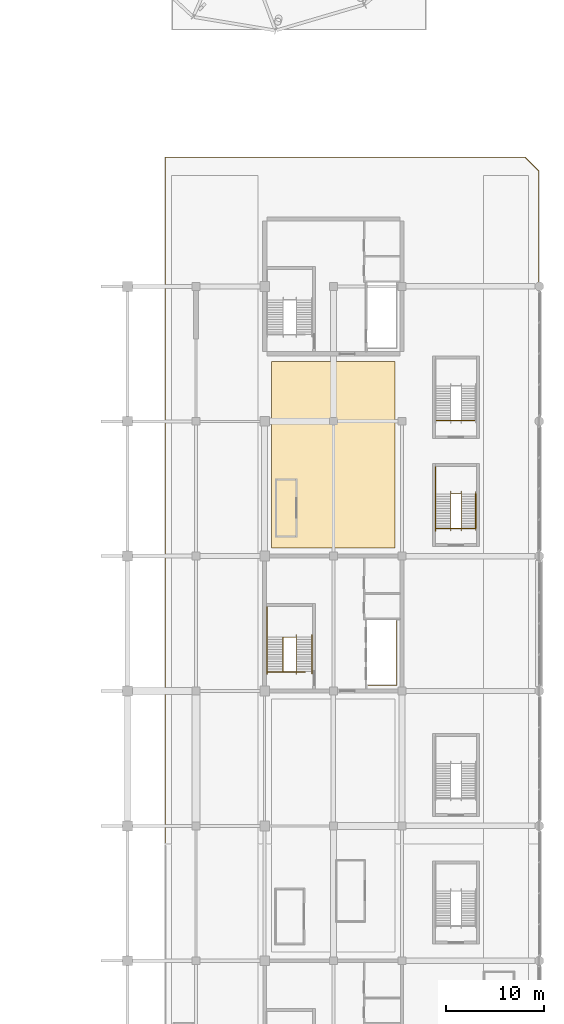
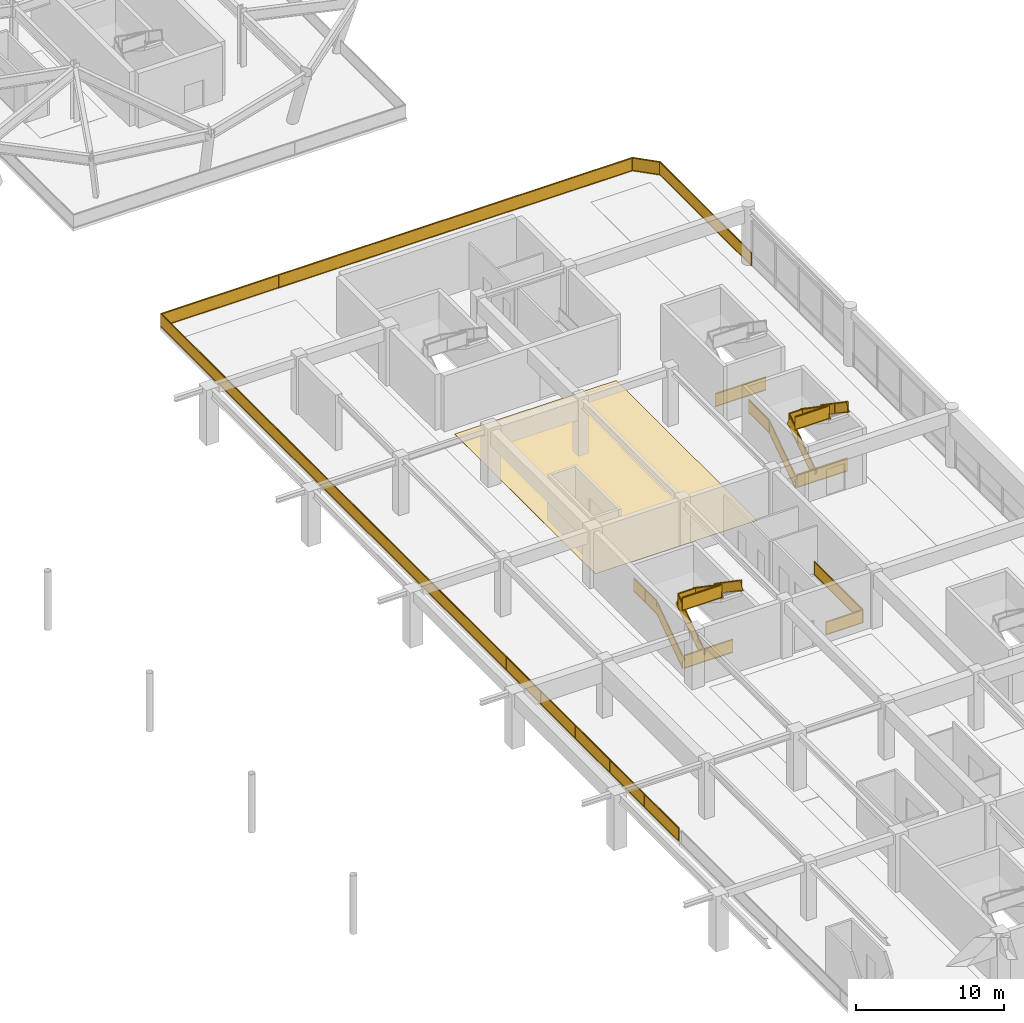
# One storey, part 85 of 91: 11 railings, 1 covering.
"""IFC4 building model written with IfcOpenShell, lengths in metres."""

from ifc_helpers import new_model, si_unit, direction, frame, origin, origin_2d, place, context, subcontext, project, spatial, polyline, rectangle, outline, extrude, material, layer, layer_set, type_object, element, save


model = new_model("IFC4")

# Units and contexts
model_context = context("Model", 3, precision=1e-05, world=origin(), true_north=direction((0.0, 1.0)))
body_context = subcontext(model_context, "Body", "Model", "MODEL_VIEW")
ifc_project = project(units=[si_unit("LENGTHUNIT", "METRE"), si_unit("AREAUNIT", "SQUARE_METRE"), si_unit("VOLUMEUNIT", "CUBIC_METRE"), si_unit("PLANEANGLEUNIT", "RADIAN"), si_unit("MASSUNIT", "GRAM", prefix="KILO")], contexts=[model_context])

# Site, building, storey
site_placement = place(None, origin())
site = spatial("IfcSite", under=ifc_project, at=site_placement, CompositionType="ELEMENT")
building_placement = place(site_placement, origin())
building = spatial("IfcBuilding", under=site, at=building_placement, Name="Linyun Crest Stadium", CompositionType="ELEMENT")
storey_placement = place(building_placement, frame((0.0, 0.0, 11.39990234375)))
storey = spatial("IfcBuildingStorey", under=building, at=storey_placement, Name="L03", CompositionType="ELEMENT", Elevation=11.39990234375)

# Covering
ifc_material_1 = material(Name="Polymeric cushioned multi-sport athletic flooring")
ifc_layer = layer(ifc_material_1, 0.01806640625)
ifc_layer_set = layer_set([ifc_layer], Name="Polymeric cushioned multi-sport athletic flooring")
covering_type = type_object("IfcCoveringType", Name="FLR01", PredefinedType="FLOORING", material=ifc_layer_set)
covering_placement = place(storey_placement, origin())
element("IfcCovering", 1, at=covering_placement, inside=storey, type_object=covering_type, Name="Athletic flooring FLR01 34", PredefinedType="FLOORING", context=body_context, shape_type="SweptSolid", body=[
    extrude(outline(polyline([(70.699951171875, 16.699951171875), (83.300048828125, 16.699951171875), (83.300048828125, 35.699951171875), (70.699951171875, 35.699951171875), (70.699951171875, 16.699951171875)])), origin(), (0.0, 0.0, 1.0), 0.01806640625),
])

# Railings
ifc_material_2 = material(Name="Galvanized and powder-coated steel bowl safety barrier", Category="steel")
railing_type_1 = type_object("IfcRailingType", Name="GR02", PredefinedType="GUARDRAIL", material=ifc_material_2)
railing_1_placement = place(storey_placement, frame((59.860107421875, -13.330078125, 0.0)))
element("IfcRailing", 2, at=railing_1_placement, inside=storey, type_object=railing_type_1, Name="Slab edge balustrade GR02 143", PredefinedType="GUARDRAIL", context=body_context, shape_type="SweptSolid", body=[
    extrude(rectangle(XDim=0.06005859375, YDim=0.06005859375, at=origin_2d()), frame((0.0, 0.0, 1.090087890625), z_axis=(0.0, 1.0, 0.0), x_axis=(-1.0, 0.0, 0.0)), (0.0, 0.0, 1.0), 69.85498046875),
    extrude(rectangle(XDim=0.030029296875, YDim=1.0, at=origin_2d()), frame((0.0, 0.0, 0.56005859375), z_axis=(0.0, 1.0, 0.0), x_axis=(-1.0, 0.0, 0.0)), (0.0, 0.0, 1.0), 69.85498046875),
    extrude(rectangle(XDim=0.06005859375, YDim=0.06005859375, at=origin_2d()), frame((0.0, 0.0, 0.030029296875), z_axis=(0.0, 1.0, 0.0), x_axis=(-1.0, 0.0, 0.0)), (0.0, 0.0, 1.0), 69.85498046875),
    extrude(rectangle(XDim=0.06005859375, YDim=0.06005859375, at=origin_2d()), frame((0.0, 69.85498046875, 1.090087890625), z_axis=(1.0, 0.0, 0.0), x_axis=(0.0, 1.0, 0.0)), (0.0, 0.0, 1.0), 36.71484375),
    extrude(rectangle(XDim=0.030029296875, YDim=1.0, at=origin_2d()), frame((0.0, 69.85498046875, 0.56005859375), z_axis=(1.0, 0.0, 0.0), x_axis=(0.0, 1.0, 0.0)), (0.0, 0.0, 1.0), 36.71484375),
    extrude(rectangle(XDim=0.06005859375, YDim=0.06005859375, at=origin_2d()), frame((0.0, 69.85498046875, 0.030029296875), z_axis=(1.0, 0.0, 0.0), x_axis=(0.0, 1.0, 0.0)), (0.0, 0.0, 1.0), 36.71484375),
    extrude(rectangle(XDim=0.06005859375, YDim=0.06005859375, at=origin_2d()), frame((36.71484375, 69.85498046875, 1.090087890625), z_axis=(0.707106781187, -0.707106781187, 0.0), x_axis=(0.707106781187, 0.707106781187, 0.0)), (0.0, 0.0, 1.0), 1.930419921875),
    extrude(rectangle(XDim=0.030029296875, YDim=1.0, at=origin_2d()), frame((36.71484375, 69.85498046875, 0.56005859375), z_axis=(0.707106781187, -0.707106781187, 0.0), x_axis=(0.707106781187, 0.707106781187, 0.0)), (0.0, 0.0, 1.0), 1.930419921875),
    extrude(rectangle(XDim=0.06005859375, YDim=0.06005859375, at=origin_2d()), frame((36.71484375, 69.85498046875, 0.030029296875), z_axis=(0.707106781187, -0.707106781187, 0.0), x_axis=(0.707106781187, 0.707106781187, 0.0)), (0.0, 0.0, 1.0), 1.930419921875),
    extrude(rectangle(XDim=0.06005859375, YDim=0.06005859375, at=origin_2d()), frame((38.079833984375, 68.489990234375, 1.090087890625), z_axis=(0.0, -1.0, 0.0), x_axis=(1.0, 0.0, 0.0)), (0.0, 0.0, 1.0), 12.3349609375),
    extrude(rectangle(XDim=0.030029296875, YDim=1.0, at=origin_2d()), frame((38.079833984375, 68.489990234375, 0.56005859375), z_axis=(0.0, -1.0, 0.0), x_axis=(1.0, 0.0, 0.0)), (0.0, 0.0, 1.0), 12.3349609375),
    extrude(rectangle(XDim=0.06005859375, YDim=0.06005859375, at=origin_2d()), frame((38.079833984375, 68.489990234375, 0.030029296875), z_axis=(0.0, -1.0, 0.0), x_axis=(1.0, 0.0, 0.0)), (0.0, 0.0, 1.0), 12.3349609375),
    extrude(rectangle(XDim=0.050048828125, YDim=0.050048828125, at=origin_2d()), origin(), (0.0, 0.0, 1.0), 1.1201171875),
    extrude(rectangle(XDim=0.050048828125, YDim=0.050048828125, at=origin_2d()), frame((0.0, 4.656982421875, 0.0)), (0.0, 0.0, 1.0), 1.1201171875),
    extrude(rectangle(XDim=0.050048828125, YDim=0.050048828125, at=origin_2d()), frame((0.0, 9.31396484375, 0.0)), (0.0, 0.0, 1.0), 1.1201171875),
    extrude(rectangle(XDim=0.050048828125, YDim=0.050048828125, at=origin_2d()), frame((0.0, 13.970947265625, 0.0)), (0.0, 0.0, 1.0), 1.1201171875),
    extrude(rectangle(XDim=0.050048828125, YDim=0.050048828125, at=origin_2d()), frame((0.0, 18.6279296875, 0.0)), (0.0, 0.0, 1.0), 1.1201171875),
    extrude(rectangle(XDim=0.050048828125, YDim=0.050048828125, at=origin_2d()), frame((0.0, 23.284912109375, 0.0)), (0.0, 0.0, 1.0), 1.1201171875),
    extrude(rectangle(XDim=0.050048828125, YDim=0.050048828125, at=origin_2d()), frame((0.0, 27.94189453125, 0.0)), (0.0, 0.0, 1.0), 1.1201171875),
    extrude(rectangle(XDim=0.050048828125, YDim=0.050048828125, at=origin_2d()), frame((0.0, 32.598876953125, 0.0)), (0.0, 0.0, 1.0), 1.1201171875),
    extrude(rectangle(XDim=0.050048828125, YDim=0.050048828125, at=origin_2d()), frame((0.0, 37.256103515625, 0.0)), (0.0, 0.0, 1.0), 1.1201171875),
    extrude(rectangle(XDim=0.050048828125, YDim=0.050048828125, at=origin_2d()), frame((0.0, 41.9130859375, 0.0)), (0.0, 0.0, 1.0), 1.1201171875),
    extrude(rectangle(XDim=0.050048828125, YDim=0.050048828125, at=origin_2d()), frame((0.0, 46.570068359375, 0.0)), (0.0, 0.0, 1.0), 1.1201171875),
    extrude(rectangle(XDim=0.050048828125, YDim=0.050048828125, at=origin_2d()), frame((0.0, 51.22705078125, 0.0)), (0.0, 0.0, 1.0), 1.1201171875),
    extrude(rectangle(XDim=0.050048828125, YDim=0.050048828125, at=origin_2d()), frame((0.0, 55.884033203125, 0.0)), (0.0, 0.0, 1.0), 1.1201171875),
    extrude(rectangle(XDim=0.050048828125, YDim=0.050048828125, at=origin_2d()), frame((0.0, 60.541015625, 0.0)), (0.0, 0.0, 1.0), 1.1201171875),
    extrude(rectangle(XDim=0.050048828125, YDim=0.050048828125, at=origin_2d()), frame((0.0, 65.197998046875, 0.0)), (0.0, 0.0, 1.0), 1.1201171875),
    extrude(rectangle(XDim=0.050048828125, YDim=0.050048828125, at=origin_2d()), frame((0.0, 69.85498046875, 0.0)), (0.0, 0.0, 1.0), 1.1201171875),
    extrude(rectangle(XDim=0.050048828125, YDim=0.050048828125, at=origin_2d()), frame((4.58935546875, 69.85498046875, 0.0)), (0.0, 0.0, 1.0), 1.1201171875),
    extrude(rectangle(XDim=0.050048828125, YDim=0.050048828125, at=origin_2d()), frame((9.1787109375, 69.85498046875, 0.0)), (0.0, 0.0, 1.0), 1.1201171875),
    extrude(rectangle(XDim=0.050048828125, YDim=0.050048828125, at=origin_2d()), frame((13.76806640625, 69.85498046875, 0.0)), (0.0, 0.0, 1.0), 1.1201171875),
    extrude(rectangle(XDim=0.050048828125, YDim=0.050048828125, at=origin_2d()), frame((18.357421875, 69.85498046875, 0.0)), (0.0, 0.0, 1.0), 1.1201171875),
    extrude(rectangle(XDim=0.050048828125, YDim=0.050048828125, at=origin_2d()), frame((22.94677734375, 69.85498046875, 0.0)), (0.0, 0.0, 1.0), 1.1201171875),
    extrude(rectangle(XDim=0.050048828125, YDim=0.050048828125, at=origin_2d()), frame((27.5361328125, 69.85498046875, 0.0)), (0.0, 0.0, 1.0), 1.1201171875),
    extrude(rectangle(XDim=0.050048828125, YDim=0.050048828125, at=origin_2d()), frame((32.12548828125, 69.85498046875, 0.0)), (0.0, 0.0, 1.0), 1.1201171875),
    extrude(rectangle(XDim=0.050048828125, YDim=0.050048828125, at=origin_2d()), frame((36.71484375, 69.85498046875, 0.0)), (0.0, 0.0, 1.0), 1.1201171875),
    extrude(rectangle(XDim=0.050048828125, YDim=0.050048828125, at=origin_2d()), frame((38.079833984375, 68.489990234375, 0.0)), (0.0, 0.0, 1.0), 1.1201171875),
    extrude(rectangle(XDim=0.050048828125, YDim=0.050048828125, at=origin_2d()), frame((38.079833984375, 64.37841796875, 0.0)), (0.0, 0.0, 1.0), 1.1201171875),
    extrude(rectangle(XDim=0.050048828125, YDim=0.050048828125, at=origin_2d()), frame((38.079833984375, 60.2666015625, 0.0)), (0.0, 0.0, 1.0), 1.1201171875),
    extrude(rectangle(XDim=0.050048828125, YDim=0.050048828125, at=origin_2d()), frame((38.079833984375, 56.155029296875, 0.0)), (0.0, 0.0, 1.0), 1.1201171875),
])
for number, where, name in (
    (3, (87.5400390625, 18.68994140625, 0.0), "Slab edge balustrade GR02 149"),
    (4, (87.5400390625, 29.68994140625, 0.0), "Slab edge balustrade GR02 150"),
):
    element("IfcRailing", number, at=place(storey_placement, frame(where)), inside=storey, type_object=railing_type_1, Name=name, PredefinedType="GUARDRAIL", context=body_context, shape_type="SweptSolid", body=[
        extrude(rectangle(XDim=0.06005859375, YDim=0.06005859375, at=origin_2d()), frame((0.0, 0.0, 1.090087890625), z_axis=(1.0, 0.0, 0.0), x_axis=(0.0, 1.0, 0.0)), (0.0, 0.0, 1.0), 3.919921875),
        extrude(rectangle(XDim=0.030029296875, YDim=1.0, at=origin_2d()), frame((0.0, 0.0, 0.56005859375), z_axis=(1.0, 0.0, 0.0), x_axis=(0.0, 1.0, 0.0)), (0.0, 0.0, 1.0), 3.919921875),
        extrude(rectangle(XDim=0.06005859375, YDim=0.06005859375, at=origin_2d()), frame((0.0, 0.0, 0.030029296875), z_axis=(1.0, 0.0, 0.0), x_axis=(0.0, 1.0, 0.0)), (0.0, 0.0, 1.0), 3.919921875),
        extrude(rectangle(XDim=0.050048828125, YDim=0.050048828125, at=origin_2d()), origin(), (0.0, 0.0, 1.0), 1.1201171875),
        extrude(rectangle(XDim=0.050048828125, YDim=0.050048828125, at=origin_2d()), frame((3.919921875, 0.0, 0.0)), (0.0, 0.0, 1.0), 1.1201171875),
    ])
railing_2_placement = place(storey_placement, frame((80.580078125, 2.715087890625, 0.0)))
element("IfcRailing", 5, at=railing_2_placement, inside=storey, type_object=railing_type_1, Name="Slab edge balustrade GR02 151", PredefinedType="GUARDRAIL", context=body_context, shape_type="SweptSolid", body=[
    extrude(rectangle(XDim=0.06005859375, YDim=0.06005859375, at=origin_2d()), frame((0.0, 0.0, 1.090087890625), z_axis=(1.0, 0.0, 0.0), x_axis=(0.0, 1.0, 0.0)), (0.0, 0.0, 1.0), 2.8798828125),
    extrude(rectangle(XDim=0.030029296875, YDim=1.0, at=origin_2d()), frame((0.0, 0.0, 0.56005859375), z_axis=(1.0, 0.0, 0.0), x_axis=(0.0, 1.0, 0.0)), (0.0, 0.0, 1.0), 2.8798828125),
    extrude(rectangle(XDim=0.06005859375, YDim=0.06005859375, at=origin_2d()), frame((0.0, 0.0, 0.030029296875), z_axis=(1.0, 0.0, 0.0), x_axis=(0.0, 1.0, 0.0)), (0.0, 0.0, 1.0), 2.8798828125),
    extrude(rectangle(XDim=0.06005859375, YDim=0.06005859375, at=origin_2d()), frame((2.8798828125, 0.0, 1.090087890625), z_axis=(0.0, 1.0, 0.0), x_axis=(-1.0, 0.0, 0.0)), (0.0, 0.0, 1.0), 6.5498046875),
    extrude(rectangle(XDim=0.030029296875, YDim=1.0, at=origin_2d()), frame((2.8798828125, 0.0, 0.56005859375), z_axis=(0.0, 1.0, 0.0), x_axis=(-1.0, 0.0, 0.0)), (0.0, 0.0, 1.0), 6.5498046875),
    extrude(rectangle(XDim=0.06005859375, YDim=0.06005859375, at=origin_2d()), frame((2.8798828125, 0.0, 0.030029296875), z_axis=(0.0, 1.0, 0.0), x_axis=(-1.0, 0.0, 0.0)), (0.0, 0.0, 1.0), 6.5498046875),
    extrude(rectangle(XDim=0.050048828125, YDim=0.050048828125, at=origin_2d()), origin(), (0.0, 0.0, 1.0), 1.1201171875),
    extrude(rectangle(XDim=0.050048828125, YDim=0.050048828125, at=origin_2d()), frame((2.8798828125, 0.0, 0.0)), (0.0, 0.0, 1.0), 1.1201171875),
    extrude(rectangle(XDim=0.050048828125, YDim=0.050048828125, at=origin_2d()), frame((2.8798828125, 3.27490234375, 0.0)), (0.0, 0.0, 1.0), 1.1201171875),
    extrude(rectangle(XDim=0.050048828125, YDim=0.050048828125, at=origin_2d()), frame((2.8798828125, 6.5498046875, 0.0)), (0.0, 0.0, 1.0), 1.1201171875),
])
railing_3_placement = place(storey_placement, frame((70.340087890625, 4.0849609375, 0.0)))
element("IfcRailing", 6, at=railing_3_placement, inside=storey, type_object=railing_type_1, Name="Slab edge balustrade GR02 153", PredefinedType="GUARDRAIL", context=body_context, shape_type="SweptSolid", body=[
    extrude(rectangle(XDim=0.06005859375, YDim=0.06005859375, at=origin_2d()), frame((0.0, 0.0, 1.090087890625), z_axis=(1.0, 0.0, 0.0), x_axis=(0.0, 1.0, 0.0)), (0.0, 0.0, 1.0), 3.760009765625),
    extrude(rectangle(XDim=0.030029296875, YDim=1.0, at=origin_2d()), frame((0.0, 0.0, 0.56005859375), z_axis=(1.0, 0.0, 0.0), x_axis=(0.0, 1.0, 0.0)), (0.0, 0.0, 1.0), 3.760009765625),
    extrude(rectangle(XDim=0.06005859375, YDim=0.06005859375, at=origin_2d()), frame((0.0, 0.0, 0.030029296875), z_axis=(1.0, 0.0, 0.0), x_axis=(0.0, 1.0, 0.0)), (0.0, 0.0, 1.0), 3.760009765625),
    extrude(rectangle(XDim=0.050048828125, YDim=0.050048828125, at=origin_2d()), origin(), (0.0, 0.0, 1.0), 1.1201171875),
    extrude(rectangle(XDim=0.050048828125, YDim=0.050048828125, at=origin_2d()), frame((3.760009765625, 0.0, 0.0)), (0.0, 0.0, 1.0), 1.1201171875),
])
ifc_material_3 = material(Name="Painted steel stairwell safety guard", Category="steel")
railing_type_2 = type_object("IfcRailingType", Name="GR03", PredefinedType="GUARDRAIL", material=ifc_material_3)
railing_4_placement = place(storey_placement, frame((70.22998046875, 4.114990234375, 0.0)))
element("IfcRailing", 7, at=railing_4_placement, inside=storey, type_object=railing_type_2, Name="STR-05-L03 outer guard", PredefinedType="GUARDRAIL", context=body_context, shape_type="SweptSolid", body=[
    extrude(rectangle(XDim=0.06005859375, YDim=0.06005859375, at=origin_2d()), frame((0.0, 0.0, 1.090087890625), z_axis=(0.0, 0.824712752785, 0.565551832633), x_axis=(-1.0, 0.0, 0.0)), (0.0, 0.0, 1.0), 4.243896484375),
    extrude(rectangle(XDim=0.030029296875, YDim=1.0, at=origin_2d()), frame((0.0, 0.0, 0.56005859375), z_axis=(0.0, 0.824712752785, 0.565551832633), x_axis=(-1.0, 0.0, 0.0)), (0.0, 0.0, 1.0), 4.243896484375),
    extrude(rectangle(XDim=0.06005859375, YDim=0.06005859375, at=origin_2d()), frame((0.0, 0.0, 0.030029296875), z_axis=(0.0, 0.824712752785, 0.565551832633), x_axis=(-1.0, 0.0, 0.0)), (0.0, 0.0, 1.0), 4.243896484375),
    extrude(rectangle(XDim=0.06005859375, YDim=0.06005859375, at=origin_2d()), frame((0.0, 3.5, 3.490234375), z_axis=(0.0, 1.0, 0.0), x_axis=(-1.0, 0.0, 0.0)), (0.0, 0.0, 1.0), 3.080078125),
    extrude(rectangle(XDim=0.030029296875, YDim=1.0, at=origin_2d()), frame((0.0, 3.5, 2.960205078125), z_axis=(0.0, 1.0, 0.0), x_axis=(-1.0, 0.0, 0.0)), (0.0, 0.0, 1.0), 3.080078125),
    extrude(rectangle(XDim=0.06005859375, YDim=0.06005859375, at=origin_2d()), frame((0.0, 3.5, 2.43017578125), z_axis=(0.0, 1.0, 0.0), x_axis=(-1.0, 0.0, 0.0)), (0.0, 0.0, 1.0), 3.080078125),
    extrude(rectangle(XDim=0.050048828125, YDim=0.050048828125, at=origin_2d()), origin(), (0.0, 0.0, 1.0), 1.1201171875),
    extrude(rectangle(XDim=0.050048828125, YDim=0.050048828125, at=origin_2d()), frame((0.0, 1.166748046875, 0.800048828125)), (0.0, 0.0, 1.0), 1.1201171875),
    extrude(rectangle(XDim=0.050048828125, YDim=0.050048828125, at=origin_2d()), frame((0.0, 2.333251953125, 1.60009765625)), (0.0, 0.0, 1.0), 1.1201171875),
    extrude(rectangle(XDim=0.050048828125, YDim=0.050048828125, at=origin_2d()), frame((0.0, 3.5, 2.400146484375)), (0.0, 0.0, 1.0), 1.1201171875),
    extrude(rectangle(XDim=0.050048828125, YDim=0.050048828125, at=origin_2d()), frame((0.0, 5.0400390625, 2.400146484375)), (0.0, 0.0, 1.0), 1.1201171875),
    extrude(rectangle(XDim=0.050048828125, YDim=0.050048828125, at=origin_2d()), frame((0.0, 6.580078125, 2.400146484375)), (0.0, 0.0, 1.0), 1.1201171875),
])
railing_5_placement = place(storey_placement, frame((71.8701171875, 4.094970703125, 0.0)))
element("IfcRailing", 8, at=railing_5_placement, inside=storey, type_object=railing_type_2, Name="STR-05-L03 inner well guard", PredefinedType="GUARDRAIL", context=body_context, shape_type="SweptSolid", body=[
    extrude(rectangle(XDim=0.06005859375, YDim=0.06005859375, at=origin_2d()), frame((0.0, 0.0, 1.090087890625), z_axis=(0.0, 0.826212794201, 0.563358162005), x_axis=(-1.0, 0.0, 0.0)), (0.0, 0.0, 1.0), 4.260498046875),
    extrude(rectangle(XDim=0.030029296875, YDim=1.0, at=origin_2d()), frame((0.0, 0.0, 0.56005859375), z_axis=(0.0, 0.826212794201, 0.563358162005), x_axis=(-1.0, 0.0, 0.0)), (0.0, 0.0, 1.0), 4.260498046875),
    extrude(rectangle(XDim=0.06005859375, YDim=0.06005859375, at=origin_2d()), frame((0.0, 0.0, 0.030029296875), z_axis=(0.0, 0.826212794201, 0.563358162005), x_axis=(-1.0, 0.0, 0.0)), (0.0, 0.0, 1.0), 4.260498046875),
    extrude(rectangle(XDim=0.06005859375, YDim=0.06005859375, at=origin_2d()), frame((0.0, 3.52001953125, 3.490234375), z_axis=(1.0, 0.0, 0.0), x_axis=(0.0, 1.0, 0.0)), (0.0, 0.0, 1.0), 1.35986328125),
    extrude(rectangle(XDim=0.030029296875, YDim=1.0, at=origin_2d()), frame((0.0, 3.52001953125, 2.960205078125), z_axis=(1.0, 0.0, 0.0), x_axis=(0.0, 1.0, 0.0)), (0.0, 0.0, 1.0), 1.35986328125),
    extrude(rectangle(XDim=0.06005859375, YDim=0.06005859375, at=origin_2d()), frame((0.0, 3.52001953125, 2.43017578125), z_axis=(1.0, 0.0, 0.0), x_axis=(0.0, 1.0, 0.0)), (0.0, 0.0, 1.0), 1.35986328125),
    extrude(rectangle(XDim=0.06005859375, YDim=0.06005859375, at=origin_2d()), frame((1.35986328125, 3.52001953125, 3.490234375), z_axis=(0.0, -0.826239466617, 0.563319042644), x_axis=(1.0, 0.0, 0.0)), (0.0, 0.0, 1.0), 4.26025390625),
    extrude(rectangle(XDim=0.030029296875, YDim=1.0, at=origin_2d()), frame((1.35986328125, 3.52001953125, 2.960205078125), z_axis=(0.0, -0.826239466617, 0.563319042644), x_axis=(1.0, 0.0, 0.0)), (0.0, 0.0, 1.0), 4.26025390625),
    extrude(rectangle(XDim=0.06005859375, YDim=0.06005859375, at=origin_2d()), frame((1.35986328125, 3.52001953125, 2.43017578125), z_axis=(0.0, -0.826239466617, 0.563319042644), x_axis=(1.0, 0.0, 0.0)), (0.0, 0.0, 1.0), 4.26025390625),
    extrude(rectangle(XDim=0.06005859375, YDim=0.06005859375, at=origin_2d()), frame((1.35986328125, 0.0, 5.89013671875), z_axis=(-1.0, 0.0, 0.0), x_axis=(0.0, -1.0, 0.0)), (0.0, 0.0, 1.0), 3.010009765625),
    extrude(rectangle(XDim=0.030029296875, YDim=1.0, at=origin_2d()), frame((1.35986328125, 0.0, 5.360107421875), z_axis=(-1.0, 0.0, 0.0), x_axis=(0.0, -1.0, 0.0)), (0.0, 0.0, 1.0), 3.010009765625),
    extrude(rectangle(XDim=0.06005859375, YDim=0.06005859375, at=origin_2d()), frame((1.35986328125, 0.0, 4.830078125), z_axis=(-1.0, 0.0, 0.0), x_axis=(0.0, -1.0, 0.0)), (0.0, 0.0, 1.0), 3.010009765625),
    extrude(rectangle(XDim=0.050048828125, YDim=0.050048828125, at=origin_2d()), origin(), (0.0, 0.0, 1.0), 1.1201171875),
    extrude(rectangle(XDim=0.050048828125, YDim=0.050048828125, at=origin_2d()), frame((0.0, 1.17333984375, 0.800048828125)), (0.0, 0.0, 1.0), 1.1201171875),
    extrude(rectangle(XDim=0.050048828125, YDim=0.050048828125, at=origin_2d()), frame((0.0, 2.3466796875, 1.60009765625)), (0.0, 0.0, 1.0), 1.1201171875),
    extrude(rectangle(XDim=0.050048828125, YDim=0.050048828125, at=origin_2d()), frame((0.0, 3.52001953125, 2.400146484375)), (0.0, 0.0, 1.0), 1.1201171875),
    extrude(rectangle(XDim=0.050048828125, YDim=0.050048828125, at=origin_2d()), frame((1.35986328125, 3.52001953125, 2.400146484375)), (0.0, 0.0, 1.0), 1.1201171875),
    extrude(rectangle(XDim=0.050048828125, YDim=0.050048828125, at=origin_2d()), frame((1.35986328125, 2.3466796875, 3.2001953125)), (0.0, 0.0, 1.0), 1.1201171875),
    extrude(rectangle(XDim=0.050048828125, YDim=0.050048828125, at=origin_2d()), frame((1.35986328125, 1.17333984375, 4.0)), (0.0, 0.0, 1.0), 1.1201171875),
    extrude(rectangle(XDim=0.050048828125, YDim=0.050048828125, at=origin_2d()), frame((1.35986328125, 0.0, 4.800048828125)), (0.0, 0.0, 1.0), 1.1201171875),
    extrude(rectangle(XDim=0.050048828125, YDim=0.050048828125, at=origin_2d()), frame((-0.14501953125, 0.0, 4.800048828125)), (0.0, 0.0, 1.0), 1.1201171875),
    extrude(rectangle(XDim=0.050048828125, YDim=0.050048828125, at=origin_2d()), frame((-1.650146484375, 0.0, 4.800048828125)), (0.0, 0.0, 1.0), 1.1201171875),
])
railing_6_placement = place(storey_placement, frame((87.429931640625, 18.719970703125, 0.0)))
element("IfcRailing", 9, at=railing_6_placement, inside=storey, type_object=railing_type_2, Name="STR-21-L03 outer guard", PredefinedType="GUARDRAIL", context=body_context, shape_type="SweptSolid", body=[
    extrude(rectangle(XDim=0.06005859375, YDim=0.06005859375, at=origin_2d()), frame((0.0, 0.0, 1.090087890625), z_axis=(0.0, 0.824712752785, 0.565551832633), x_axis=(-1.0, 0.0, 0.0)), (0.0, 0.0, 1.0), 4.243896484375),
    extrude(rectangle(XDim=0.030029296875, YDim=1.0, at=origin_2d()), frame((0.0, 0.0, 0.56005859375), z_axis=(0.0, 0.824712752785, 0.565551832633), x_axis=(-1.0, 0.0, 0.0)), (0.0, 0.0, 1.0), 4.243896484375),
    extrude(rectangle(XDim=0.06005859375, YDim=0.06005859375, at=origin_2d()), frame((0.0, 0.0, 0.030029296875), z_axis=(0.0, 0.824712752785, 0.565551832633), x_axis=(-1.0, 0.0, 0.0)), (0.0, 0.0, 1.0), 4.243896484375),
    extrude(rectangle(XDim=0.06005859375, YDim=0.06005859375, at=origin_2d()), frame((0.0, 3.5, 3.490234375), z_axis=(0.0, 1.0, 0.0), x_axis=(-1.0, 0.0, 0.0)), (0.0, 0.0, 1.0), 2.75),
    extrude(rectangle(XDim=0.030029296875, YDim=1.0, at=origin_2d()), frame((0.0, 3.5, 2.960205078125), z_axis=(0.0, 1.0, 0.0), x_axis=(-1.0, 0.0, 0.0)), (0.0, 0.0, 1.0), 2.75),
    extrude(rectangle(XDim=0.06005859375, YDim=0.06005859375, at=origin_2d()), frame((0.0, 3.5, 2.43017578125), z_axis=(0.0, 1.0, 0.0), x_axis=(-1.0, 0.0, 0.0)), (0.0, 0.0, 1.0), 2.75),
    extrude(rectangle(XDim=0.050048828125, YDim=0.050048828125, at=origin_2d()), origin(), (0.0, 0.0, 1.0), 1.1201171875),
    extrude(rectangle(XDim=0.050048828125, YDim=0.050048828125, at=origin_2d()), frame((0.0, 1.166748046875, 0.800048828125)), (0.0, 0.0, 1.0), 1.1201171875),
    extrude(rectangle(XDim=0.050048828125, YDim=0.050048828125, at=origin_2d()), frame((0.0, 2.333251953125, 1.60009765625)), (0.0, 0.0, 1.0), 1.1201171875),
    extrude(rectangle(XDim=0.050048828125, YDim=0.050048828125, at=origin_2d()), frame((0.0, 3.5, 2.400146484375)), (0.0, 0.0, 1.0), 1.1201171875),
    extrude(rectangle(XDim=0.050048828125, YDim=0.050048828125, at=origin_2d()), frame((0.0, 4.875, 2.400146484375)), (0.0, 0.0, 1.0), 1.1201171875),
    extrude(rectangle(XDim=0.050048828125, YDim=0.050048828125, at=origin_2d()), frame((0.0, 6.25, 2.400146484375)), (0.0, 0.0, 1.0), 1.1201171875),
])
railing_7_placement = place(storey_placement, frame((88.969970703125, 18.699951171875, 0.0)))
element("IfcRailing", 10, at=railing_7_placement, inside=storey, type_object=railing_type_2, Name="STR-21-L03 inner well guard", PredefinedType="GUARDRAIL", context=body_context, shape_type="SweptSolid", body=[
    extrude(rectangle(XDim=0.06005859375, YDim=0.06005859375, at=origin_2d()), frame((0.0, 0.0, 1.090087890625), z_axis=(0.0, 0.826212794201, 0.563358162005), x_axis=(-1.0, 0.0, 0.0)), (0.0, 0.0, 1.0), 4.260498046875),
    extrude(rectangle(XDim=0.030029296875, YDim=1.0, at=origin_2d()), frame((0.0, 0.0, 0.56005859375), z_axis=(0.0, 0.826212794201, 0.563358162005), x_axis=(-1.0, 0.0, 0.0)), (0.0, 0.0, 1.0), 4.260498046875),
    extrude(rectangle(XDim=0.06005859375, YDim=0.06005859375, at=origin_2d()), frame((0.0, 0.0, 0.030029296875), z_axis=(0.0, 0.826212794201, 0.563358162005), x_axis=(-1.0, 0.0, 0.0)), (0.0, 0.0, 1.0), 4.260498046875),
    extrude(rectangle(XDim=0.06005859375, YDim=0.06005859375, at=origin_2d()), frame((0.0, 3.52001953125, 3.490234375), z_axis=(1.0, 0.0, 0.0), x_axis=(0.0, 1.0, 0.0)), (0.0, 0.0, 1.0), 1.06005859375),
    extrude(rectangle(XDim=0.030029296875, YDim=1.0, at=origin_2d()), frame((0.0, 3.52001953125, 2.960205078125), z_axis=(1.0, 0.0, 0.0), x_axis=(0.0, 1.0, 0.0)), (0.0, 0.0, 1.0), 1.06005859375),
    extrude(rectangle(XDim=0.06005859375, YDim=0.06005859375, at=origin_2d()), frame((0.0, 3.52001953125, 2.43017578125), z_axis=(1.0, 0.0, 0.0), x_axis=(0.0, 1.0, 0.0)), (0.0, 0.0, 1.0), 1.06005859375),
    extrude(rectangle(XDim=0.06005859375, YDim=0.06005859375, at=origin_2d()), frame((1.06005859375, 3.52001953125, 3.490234375), z_axis=(0.0, -0.826239466617, 0.563319042644), x_axis=(1.0, 0.0, 0.0)), (0.0, 0.0, 1.0), 4.26025390625),
    extrude(rectangle(XDim=0.030029296875, YDim=1.0, at=origin_2d()), frame((1.06005859375, 3.52001953125, 2.960205078125), z_axis=(0.0, -0.826239466617, 0.563319042644), x_axis=(1.0, 0.0, 0.0)), (0.0, 0.0, 1.0), 4.26025390625),
    extrude(rectangle(XDim=0.06005859375, YDim=0.06005859375, at=origin_2d()), frame((1.06005859375, 3.52001953125, 2.43017578125), z_axis=(0.0, -0.826239466617, 0.563319042644), x_axis=(1.0, 0.0, 0.0)), (0.0, 0.0, 1.0), 4.26025390625),
    extrude(rectangle(XDim=0.06005859375, YDim=0.06005859375, at=origin_2d()), frame((1.06005859375, 0.0, 5.89013671875), z_axis=(-1.0, 0.0, 0.0), x_axis=(0.0, -1.0, 0.0)), (0.0, 0.0, 1.0), 2.610107421875),
    extrude(rectangle(XDim=0.030029296875, YDim=1.0, at=origin_2d()), frame((1.06005859375, 0.0, 5.360107421875), z_axis=(-1.0, 0.0, 0.0), x_axis=(0.0, -1.0, 0.0)), (0.0, 0.0, 1.0), 2.610107421875),
    extrude(rectangle(XDim=0.06005859375, YDim=0.06005859375, at=origin_2d()), frame((1.06005859375, 0.0, 4.830078125), z_axis=(-1.0, 0.0, 0.0), x_axis=(0.0, -1.0, 0.0)), (0.0, 0.0, 1.0), 2.610107421875),
    extrude(rectangle(XDim=0.050048828125, YDim=0.050048828125, at=origin_2d()), origin(), (0.0, 0.0, 1.0), 1.1201171875),
    extrude(rectangle(XDim=0.050048828125, YDim=0.050048828125, at=origin_2d()), frame((0.0, 1.17333984375, 0.800048828125)), (0.0, 0.0, 1.0), 1.1201171875),
    extrude(rectangle(XDim=0.050048828125, YDim=0.050048828125, at=origin_2d()), frame((0.0, 2.3466796875, 1.60009765625)), (0.0, 0.0, 1.0), 1.1201171875),
    extrude(rectangle(XDim=0.050048828125, YDim=0.050048828125, at=origin_2d()), frame((0.0, 3.52001953125, 2.400146484375)), (0.0, 0.0, 1.0), 1.1201171875),
    extrude(rectangle(XDim=0.050048828125, YDim=0.050048828125, at=origin_2d()), frame((1.06005859375, 3.52001953125, 2.400146484375)), (0.0, 0.0, 1.0), 1.1201171875),
    extrude(rectangle(XDim=0.050048828125, YDim=0.050048828125, at=origin_2d()), frame((1.06005859375, 2.3466796875, 3.2001953125)), (0.0, 0.0, 1.0), 1.1201171875),
    extrude(rectangle(XDim=0.050048828125, YDim=0.050048828125, at=origin_2d()), frame((1.06005859375, 1.17333984375, 4.0)), (0.0, 0.0, 1.0), 1.1201171875),
    extrude(rectangle(XDim=0.050048828125, YDim=0.050048828125, at=origin_2d()), frame((1.06005859375, 0.0, 4.800048828125)), (0.0, 0.0, 1.0), 1.1201171875),
    extrude(rectangle(XDim=0.050048828125, YDim=0.050048828125, at=origin_2d()), frame((-0.2451171875, 0.0, 4.800048828125)), (0.0, 0.0, 1.0), 1.1201171875),
    extrude(rectangle(XDim=0.050048828125, YDim=0.050048828125, at=origin_2d()), frame((-1.550048828125, 0.0, 4.800048828125)), (0.0, 0.0, 1.0), 1.1201171875),
])
ifc_material_4 = material(Name="Brushed stainless steel tubular handrail", Category="steel")
railing_type_3 = type_object("IfcRailingType", Name="HR01", PredefinedType="HANDRAIL", material=ifc_material_4)
for number, where, name in (
    (11, (74.820068359375, 7.614990234375, 2.400146484375), "STR-05-L03 handrail"),
    (12, (91.52001953125, 22.219970703125, 2.400146484375), "STR-21-L03 handrail"),
):
    element("IfcRailing", number, at=place(storey_placement, frame(where)), inside=storey, type_object=railing_type_3, Name=name, PredefinedType="HANDRAIL", context=body_context, shape_type="SweptSolid", body=[
        extrude(rectangle(XDim=0.06005859375, YDim=0.06005859375, at=origin_2d()), frame((0.0, 0.0, 0.889892578125), z_axis=(0.0, -0.824739584531, 0.5655127034), x_axis=(1.0, 0.0, 0.0)), (0.0, 0.0, 1.0), 4.24365234375),
        extrude(rectangle(XDim=0.030029296875, YDim=0.7998046875, at=origin_2d()), frame((0.0, 0.0, 0.4599609375), z_axis=(0.0, -0.824739584531, 0.5655127034), x_axis=(1.0, 0.0, 0.0)), (0.0, 0.0, 1.0), 4.24365234375),
        extrude(rectangle(XDim=0.06005859375, YDim=0.06005859375, at=origin_2d()), frame((0.0, 0.0, 0.030029296875), z_axis=(0.0, -0.824739584531, 0.5655127034), x_axis=(1.0, 0.0, 0.0)), (0.0, 0.0, 1.0), 4.24365234375),
        extrude(rectangle(XDim=0.050048828125, YDim=0.050048828125, at=origin_2d()), origin(), (0.0, 0.0, 1.0), 0.919921875),
        extrude(rectangle(XDim=0.050048828125, YDim=0.050048828125, at=origin_2d()), frame((0.0, -1.75, 1.199951171875)), (0.0, 0.0, 1.0), 0.919921875),
        extrude(rectangle(XDim=0.050048828125, YDim=0.050048828125, at=origin_2d()), frame((0.0, -3.5, 2.39990234375)), (0.0, 0.0, 1.0), 0.919921875),
    ])

save(model, "model.ifc")
